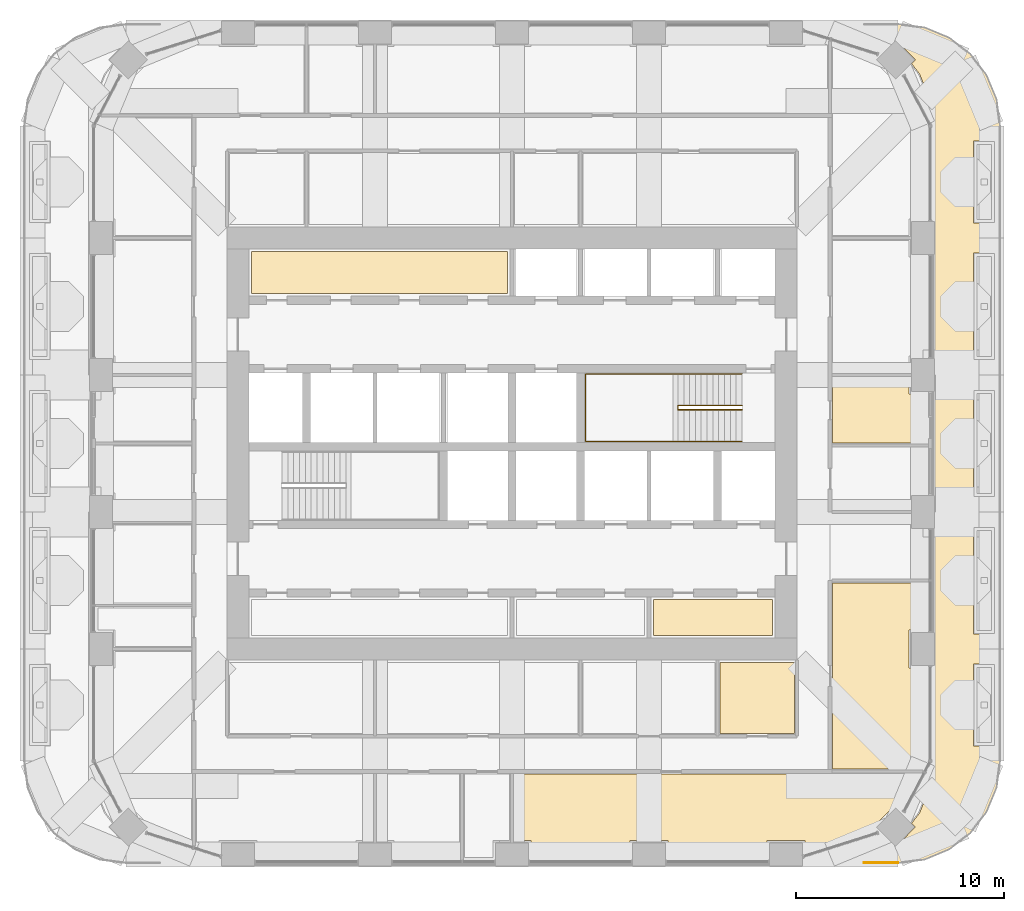
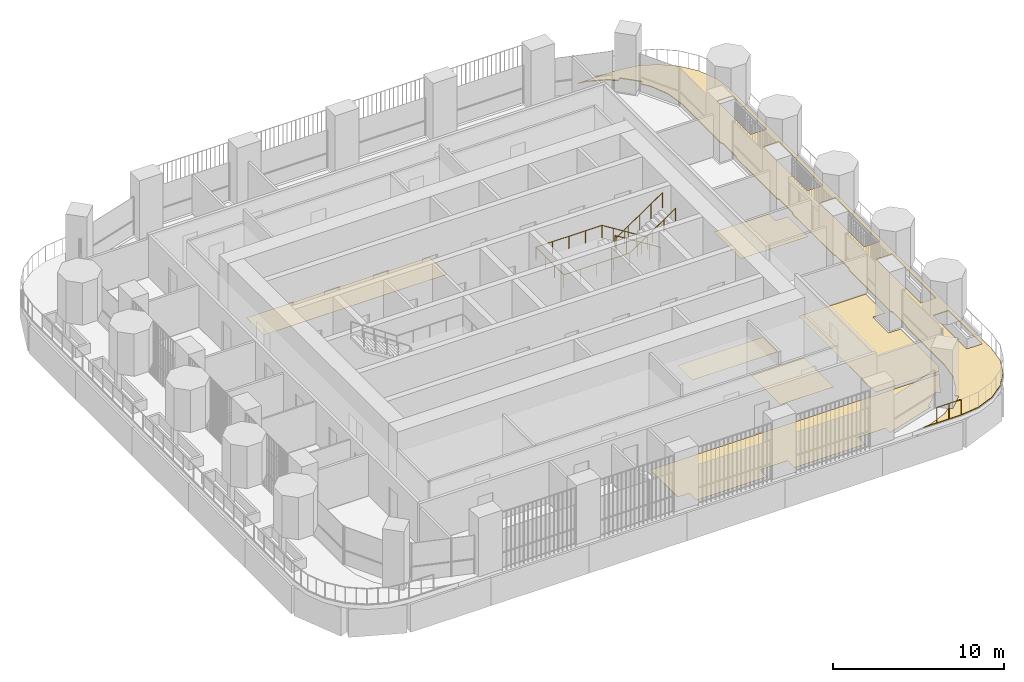
# One storey, part 21 of 24: 7 coverings, 3 railings.
"""IFC4 building model written with IfcOpenShell, lengths in metres."""

from ifc_helpers import new_model, si_unit, direction, frame, origin, place, context, subcontext, project, spatial, polyline, outline, extrude, material, layer, layer_set, type_object, element, save


model = new_model("IFC4")

# Units and contexts
model_context = context("Model", 3, precision=1e-05, world=origin(), true_north=direction((0.0, 1.0)))
body_context = subcontext(model_context, "Body", "Model", "MODEL_VIEW")
ifc_project = project(units=[si_unit("LENGTHUNIT", "METRE"), si_unit("AREAUNIT", "SQUARE_METRE"), si_unit("VOLUMEUNIT", "CUBIC_METRE"), si_unit("PLANEANGLEUNIT", "RADIAN"), si_unit("MASSUNIT", "GRAM", prefix="KILO")], contexts=[model_context])

# Site, building, storey
site_placement = place(None, origin())
site = spatial("IfcSite", under=ifc_project, at=site_placement, CompositionType="ELEMENT")
building_placement = place(site_placement, origin())
building = spatial("IfcBuilding", under=site, at=building_placement, Name="Cobogo Forest Laboratory Tower", CompositionType="ELEMENT")
storey_placement = place(building_placement, frame((0.0, 0.0, 229.199951171875)))
storey = spatial("IfcBuildingStorey", under=building, at=storey_placement, Name="L52", CompositionType="ELEMENT", Elevation=229.199951171875)

# Railing
ifc_material_1 = material(Name="Laminated glass balustrade", Category="glass")
railing_type_1 = type_object("IfcRailingType", Name="BG1 glass balustrade 1100", PredefinedType="GUARDRAIL", material=ifc_material_1)
railing_1_placement = place(storey_placement, frame((43.35791015625, 2.89990234375, 0.06005859375)))
element("IfcRailing", 1, at=railing_1_placement, inside=storey, type_object=railing_type_1, Name="Terrace balustrade TER-E L52", PredefinedType="GUARDRAIL", context=body_context, shape_type="SweptSolid", body=[
    extrude(outline(polyline([(0.022216796875, 0.00927734375), (0.00927734375, 0.022216796875), (-0.00927734375, 0.022216796875), (-0.022216796875, 0.00927734375), (-0.022216796875, -0.00927734375), (-0.00927734375, -0.022216796875), (0.00927734375, -0.022216796875), (0.022216796875, -0.00927734375), (0.022216796875, 0.00927734375)])), frame((0.0, 0.0, 1.077880859375), z_axis=(1.0, 0.0, 0.0), x_axis=(0.0, 1.0, 0.0)), (0.0, 0.0, 1.0), 1.638916015625),
    extrude(outline(polyline([(0.019287109375, 0.008056640625), (0.008056640625, 0.019287109375), (-0.008056640625, 0.019287109375), (-0.019287109375, 0.008056640625), (-0.019287109375, -0.008056640625), (-0.008056640625, -0.019287109375), (0.008056640625, -0.019287109375), (0.019287109375, -0.008056640625), (0.019287109375, 0.008056640625)])), origin(), (0.0, 0.0, 1.0), 1.077880859375),
    extrude(outline(polyline([(0.019287109375, 0.008056640625), (0.008056640625, 0.019287109375), (-0.008056640625, 0.019287109375), (-0.019287109375, 0.008056640625), (-0.019287109375, -0.008056640625), (-0.008056640625, -0.019287109375), (0.008056640625, -0.019287109375), (0.019287109375, -0.008056640625), (0.019287109375, 0.008056640625)])), frame((0.8193359375, 0.0, 0.0)), (0.0, 0.0, 1.0), 1.077880859375),
    extrude(outline(polyline([(0.019287109375, 0.008056640625), (0.008056640625, 0.019287109375), (-0.008056640625, 0.019287109375), (-0.019287109375, 0.008056640625), (-0.019287109375, -0.008056640625), (-0.008056640625, -0.019287109375), (0.008056640625, -0.019287109375), (0.019287109375, -0.008056640625), (0.019287109375, 0.008056640625)])), frame((1.638916015625, 0.0, 0.0)), (0.0, 0.0, 1.0), 1.077880859375),
])

# Coverings
ifc_material_2 = material(Name="Carpet tile on raised access floor", Category="flooring")
ifc_layer_1 = layer(ifc_material_2, 0.008056640625)
ifc_layer_set_1 = layer_set([ifc_layer_1], Name="CT1 carpet tile floor 8")
covering_type_1 = type_object("IfcCoveringType", Name="CT1 carpet tile floor 8", PredefinedType="FLOORING", material=ifc_layer_set_1)
covering_1_placement = place(storey_placement, origin())
element("IfcCovering", 2, at=covering_1_placement, inside=storey, type_object=covering_type_1, Name="Carpet floor L52-08", PredefinedType="FLOORING", context=body_context, shape_type="SweptSolid", body=[
    extrude(outline(polyline([(40.0048828125, 9.1201171875), (36.419921875, 9.1201171875), (36.419921875, 12.554931640625), (40.0048828125, 12.554931640625), (40.0048828125, 9.1201171875)])), origin(), (0.0, 0.0, 1.0), 0.008056640625),
])
covering_2_placement = place(storey_placement, origin())
element("IfcCovering", 3, at=covering_2_placement, inside=storey, type_object=covering_type_1, Name="Carpet floor L52-12", PredefinedType="FLOORING", context=body_context, shape_type="SweptSolid", body=[
    extrude(outline(polyline([(45.999267578125, 7.179931640625), (45.1083984375, 5.480712890625), (44.882080078125, 5.70703125), (43.79296875, 4.617919921875), (43.89501953125, 4.51611328125), (40.52001953125, 3.4501953125), (40.52001953125, 3.969970703125), (38.679931640625, 3.969970703125), (38.679931640625, 3.14990234375), (33.919921875, 3.14990234375), (33.919921875, 3.969970703125), (32.080078125, 3.969970703125), (32.080078125, 3.14990234375), (27.320068359375, 3.14990234375), (27.320068359375, 3.969970703125), (26.52001953125, 3.969970703125), (26.52001953125, 7.179931640625), (45.999267578125, 7.179931640625)])), origin(), (0.0, 0.0, 1.0), 0.008056640625),
])
covering_3_placement = place(storey_placement, origin())
element("IfcCovering", 4, at=covering_3_placement, inside=storey, type_object=covering_type_1, Name="Carpet floor L52-13", PredefinedType="FLOORING", context=body_context, shape_type="SweptSolid", body=[
    extrude(outline(polyline([(41.844970703125, 16.3798828125), (46.35009765625, 16.3798828125), (46.35009765625, 14.1201171875), (45.530029296875, 14.1201171875), (45.530029296875, 12.280029296875), (46.35009765625, 12.280029296875), (46.35009765625, 7.84912109375), (46.125, 7.419921875), (41.844970703125, 7.419921875), (41.844970703125, 16.3798828125)])), origin(), (0.0, 0.0, 1.0), 0.008056640625),
])
covering_4_placement = place(storey_placement, origin())
element("IfcCovering", 5, at=covering_4_placement, inside=storey, type_object=covering_type_1, Name="Carpet floor L52-37", PredefinedType="FLOORING", context=body_context, shape_type="SweptSolid", body=[
    extrude(outline(polyline([(38.955078125, 13.844970703125), (33.219970703125, 13.844970703125), (33.219970703125, 15.580078125), (38.955078125, 15.580078125), (38.955078125, 13.844970703125)])), origin(), (0.0, 0.0, 1.0), 0.008056640625),
])
covering_5_placement = place(storey_placement, origin())
element("IfcCovering", 6, at=covering_5_placement, inside=storey, type_object=covering_type_1, Name="Carpet floor L52-38", PredefinedType="FLOORING", context=body_context, shape_type="SweptSolid", body=[
    extrude(outline(polyline([(26.179931640625, 30.320068359375), (13.844970703125, 30.320068359375), (13.844970703125, 32.35498046875), (26.179931640625, 32.35498046875), (26.179931640625, 30.320068359375)])), origin(), (0.0, 0.0, 1.0), 0.008056640625),
])

# Railings
ifc_material_3 = material(Name="Steel balustrade", Category="steel")
railing_type_2 = type_object("IfcRailingType", Name="GR stair guard 1100", PredefinedType="GUARDRAIL", material=ifc_material_3)
railing_2_placement = place(storey_placement, frame((37.47509765625, 24.929931640625, 0.175048828125)))
element("IfcRailing", 7, at=railing_2_placement, inside=storey, type_object=railing_type_2, Name="Stair guard ST2 L52", PredefinedType="GUARDRAIL", context=body_context, shape_type="SweptSolid", body=[
    extrude(outline(polyline([(0.022216796875, 0.00927734375), (0.00927734375, 0.022216796875), (-0.00927734375, 0.022216796875), (-0.022216796875, 0.00927734375), (-0.022216796875, -0.00927734375), (-0.00927734375, -0.022216796875), (0.00927734375, -0.022216796875), (0.022216796875, -0.00927734375), (0.022216796875, 0.00927734375)])), frame((0.0, 0.0, 1.077880859375), z_axis=(-0.847998304005, 0.0, 0.529998940003), x_axis=(0.0, -1.0, 0.0)), (0.0, 0.0, 1.0), 3.632080078125),
    extrude(outline(polyline([(0.022216796875, 0.00927734375), (0.00927734375, 0.022216796875), (-0.00927734375, 0.022216796875), (-0.022216796875, 0.00927734375), (-0.022216796875, -0.00927734375), (-0.00927734375, -0.022216796875), (0.00927734375, -0.022216796875), (0.022216796875, -0.00927734375), (0.022216796875, 0.00927734375)])), frame((-3.080078125, 0.0, 3.0029296875), z_axis=(0.0, -1.0, 0.0), x_axis=(1.0, 0.0, 0.0)), (0.0, 0.0, 1.0), 0.2099609375),
    extrude(outline(polyline([(0.022216796875, 0.00927734375), (0.00927734375, 0.022216796875), (-0.00927734375, 0.022216796875), (-0.022216796875, 0.00927734375), (-0.022216796875, -0.00927734375), (-0.00927734375, -0.022216796875), (0.00927734375, -0.022216796875), (0.022216796875, -0.00927734375), (0.022216796875, 0.00927734375)])), frame((-3.080078125, -0.2099609375, 3.0029296875), z_axis=(0.826252282691, 0.0, 0.563300244406), x_axis=(0.0, 1.0, 0.0)), (0.0, 0.0, 1.0), 3.727783203125),
    extrude(outline(polyline([(0.019287109375, 0.008056640625), (0.008056640625, 0.019287109375), (-0.008056640625, 0.019287109375), (-0.019287109375, 0.008056640625), (-0.019287109375, -0.008056640625), (-0.008056640625, -0.019287109375), (0.008056640625, -0.019287109375), (0.019287109375, -0.008056640625), (0.019287109375, 0.008056640625)])), origin(), (0.0, 0.0, 1.0), 1.077880859375),
    extrude(outline(polyline([(0.019287109375, 0.008056640625), (0.008056640625, 0.019287109375), (-0.008056640625, 0.019287109375), (-0.019287109375, 0.008056640625), (-0.019287109375, -0.008056640625), (-0.008056640625, -0.019287109375), (0.008056640625, -0.019287109375), (0.019287109375, -0.008056640625), (0.019287109375, 0.008056640625)])), frame((-0.77001953125, 0.0, 0.481201171875)), (0.0, 0.0, 1.0), 1.077880859375),
    extrude(outline(polyline([(0.019287109375, 0.008056640625), (0.008056640625, 0.019287109375), (-0.008056640625, 0.019287109375), (-0.019287109375, 0.008056640625), (-0.019287109375, -0.008056640625), (-0.008056640625, -0.019287109375), (0.008056640625, -0.019287109375), (0.019287109375, -0.008056640625), (0.019287109375, 0.008056640625)])), frame((-1.5400390625, 0.0, 0.96240234375)), (0.0, 0.0, 1.0), 1.077880859375),
    extrude(outline(polyline([(0.019287109375, 0.008056640625), (0.008056640625, 0.019287109375), (-0.008056640625, 0.019287109375), (-0.019287109375, 0.008056640625), (-0.019287109375, -0.008056640625), (-0.008056640625, -0.019287109375), (0.008056640625, -0.019287109375), (0.019287109375, -0.008056640625), (0.019287109375, 0.008056640625)])), frame((-2.31005859375, 0.0, 1.44384765625)), (0.0, 0.0, 1.0), 1.077880859375),
    extrude(outline(polyline([(0.019287109375, 0.008056640625), (0.008056640625, 0.019287109375), (-0.008056640625, 0.019287109375), (-0.019287109375, 0.008056640625), (-0.019287109375, -0.008056640625), (-0.008056640625, -0.019287109375), (0.008056640625, -0.019287109375), (0.019287109375, -0.008056640625), (0.019287109375, 0.008056640625)])), frame((-3.080078125, 0.0, 1.925048828125)), (0.0, 0.0, 1.0), 1.077880859375),
    extrude(outline(polyline([(0.019287109375, 0.008056640625), (0.008056640625, 0.019287109375), (-0.008056640625, 0.019287109375), (-0.019287109375, 0.008056640625), (-0.019287109375, -0.008056640625), (-0.008056640625, -0.019287109375), (0.008056640625, -0.019287109375), (0.019287109375, -0.008056640625), (0.019287109375, 0.008056640625)])), frame((-3.080078125, -0.2099609375, 1.925048828125)), (0.0, 0.0, 1.0), 1.077880859375),
    extrude(outline(polyline([(0.019287109375, 0.008056640625), (0.008056640625, 0.019287109375), (-0.008056640625, 0.019287109375), (-0.019287109375, 0.008056640625), (-0.019287109375, -0.008056640625), (-0.008056640625, -0.019287109375), (0.008056640625, -0.019287109375), (0.019287109375, -0.008056640625), (0.019287109375, 0.008056640625)])), frame((-2.31005859375, -0.2099609375, 2.449951171875)), (0.0, 0.0, 1.0), 1.077880859375),
    extrude(outline(polyline([(0.019287109375, 0.008056640625), (0.008056640625, 0.019287109375), (-0.008056640625, 0.019287109375), (-0.019287109375, 0.008056640625), (-0.019287109375, -0.008056640625), (-0.008056640625, -0.019287109375), (0.008056640625, -0.019287109375), (0.019287109375, -0.008056640625), (0.019287109375, 0.008056640625)])), frame((-1.5400390625, -0.2099609375, 2.97509765625)), (0.0, 0.0, 1.0), 1.077880859375),
    extrude(outline(polyline([(0.019287109375, 0.008056640625), (0.008056640625, 0.019287109375), (-0.008056640625, 0.019287109375), (-0.019287109375, 0.008056640625), (-0.019287109375, -0.008056640625), (-0.008056640625, -0.019287109375), (0.008056640625, -0.019287109375), (0.019287109375, -0.008056640625), (0.019287109375, 0.008056640625)])), frame((-0.77001953125, -0.2099609375, 3.5)), (0.0, 0.0, 1.0), 1.077880859375),
    extrude(outline(polyline([(0.019287109375, 0.008056640625), (0.008056640625, 0.019287109375), (-0.008056640625, 0.019287109375), (-0.019287109375, 0.008056640625), (-0.019287109375, -0.008056640625), (-0.008056640625, -0.019287109375), (0.008056640625, -0.019287109375), (0.019287109375, -0.008056640625), (0.019287109375, 0.008056640625)])), frame((0.0, -0.2099609375, 4.02490234375)), (0.0, 0.0, 1.0), 1.077880859375),
])
ifc_material_4 = material(Name="Stainless steel handrail", Category="steel")
railing_type_3 = type_object("IfcRailingType", Name="HR handrail 900", PredefinedType="HANDRAIL", material=ifc_material_4)
railing_3_placement = place(storey_placement, frame((37.47509765625, 26.449951171875, 0.175048828125)))
element("IfcRailing", 8, at=railing_3_placement, inside=storey, type_object=railing_type_3, Name="Stair handrail ST2 L52", PredefinedType="HANDRAIL", context=body_context, shape_type="SweptSolid", body=[
    extrude(outline(polyline([(0.022216796875, 0.00927734375), (0.00927734375, 0.022216796875), (-0.00927734375, 0.022216796875), (-0.022216796875, 0.00927734375), (-0.022216796875, -0.00927734375), (-0.00927734375, -0.022216796875), (0.00927734375, -0.022216796875), (0.022216796875, -0.00927734375), (0.022216796875, 0.00927734375)])), frame((0.0, 0.0, 0.877685546875), z_axis=(-0.847998304005, 0.0, 0.529998940003), x_axis=(0.0, -1.0, 0.0)), (0.0, 0.0, 1.0), 3.632080078125),
    extrude(outline(polyline([(0.022216796875, 0.00927734375), (0.00927734375, 0.022216796875), (-0.00927734375, 0.022216796875), (-0.022216796875, 0.00927734375), (-0.022216796875, -0.00927734375), (-0.00927734375, -0.022216796875), (0.00927734375, -0.022216796875), (0.022216796875, -0.00927734375), (0.022216796875, 0.00927734375)])), frame((-3.080078125, 0.0, 2.802734375), z_axis=(-1.0, 0.0, 0.0), x_axis=(0.0, -1.0, 0.0)), (0.0, 0.0, 1.0), 4.445068359375),
    extrude(outline(polyline([(0.022216796875, 0.00927734375), (0.00927734375, 0.022216796875), (-0.00927734375, 0.022216796875), (-0.022216796875, 0.00927734375), (-0.022216796875, -0.00927734375), (-0.00927734375, -0.022216796875), (0.00927734375, -0.022216796875), (0.022216796875, -0.00927734375), (0.022216796875, 0.00927734375)])), frame((-7.525146484375, 0.0, 2.802734375), z_axis=(0.0, -1.0, 0.0), x_axis=(1.0, 0.0, 0.0)), (0.0, 0.0, 1.0), 3.25),
    extrude(outline(polyline([(0.022216796875, 0.00927734375), (0.00927734375, 0.022216796875), (-0.00927734375, 0.022216796875), (-0.022216796875, 0.00927734375), (-0.022216796875, -0.00927734375), (-0.00927734375, -0.022216796875), (0.00927734375, -0.022216796875), (0.022216796875, -0.00927734375), (0.022216796875, 0.00927734375)])), frame((-7.525146484375, -3.25, 2.802734375), z_axis=(1.0, 0.0, 0.0), x_axis=(0.0, 1.0, 0.0)), (0.0, 0.0, 1.0), 4.445068359375),
    extrude(outline(polyline([(0.022216796875, 0.00927734375), (0.00927734375, 0.022216796875), (-0.00927734375, 0.022216796875), (-0.022216796875, 0.00927734375), (-0.022216796875, -0.00927734375), (-0.00927734375, -0.022216796875), (0.00927734375, -0.022216796875), (0.022216796875, -0.00927734375), (0.022216796875, 0.00927734375)])), frame((-3.080078125, -3.25, 2.802734375), z_axis=(0.826252282691, 0.0, 0.563300244406), x_axis=(0.0, 1.0, 0.0)), (0.0, 0.0, 1.0), 3.727783203125),
    extrude(outline(polyline([(0.019287109375, 0.008056640625), (0.008056640625, 0.019287109375), (-0.008056640625, 0.019287109375), (-0.019287109375, 0.008056640625), (-0.019287109375, -0.008056640625), (-0.008056640625, -0.019287109375), (0.008056640625, -0.019287109375), (0.019287109375, -0.008056640625), (0.019287109375, 0.008056640625)])), origin(), (0.0, 0.0, 1.0), 0.877685546875),
    extrude(outline(polyline([(0.019287109375, 0.008056640625), (0.008056640625, 0.019287109375), (-0.008056640625, 0.019287109375), (-0.019287109375, 0.008056640625), (-0.019287109375, -0.008056640625), (-0.008056640625, -0.019287109375), (0.008056640625, -0.019287109375), (0.019287109375, -0.008056640625), (0.019287109375, 0.008056640625)])), frame((-0.77001953125, 0.0, 0.481201171875)), (0.0, 0.0, 1.0), 0.877685546875),
    extrude(outline(polyline([(0.019287109375, 0.008056640625), (0.008056640625, 0.019287109375), (-0.008056640625, 0.019287109375), (-0.019287109375, 0.008056640625), (-0.019287109375, -0.008056640625), (-0.008056640625, -0.019287109375), (0.008056640625, -0.019287109375), (0.019287109375, -0.008056640625), (0.019287109375, 0.008056640625)])), frame((-1.5400390625, 0.0, 0.96240234375)), (0.0, 0.0, 1.0), 0.877685546875),
    extrude(outline(polyline([(0.019287109375, 0.008056640625), (0.008056640625, 0.019287109375), (-0.008056640625, 0.019287109375), (-0.019287109375, 0.008056640625), (-0.019287109375, -0.008056640625), (-0.008056640625, -0.019287109375), (0.008056640625, -0.019287109375), (0.019287109375, -0.008056640625), (0.019287109375, 0.008056640625)])), frame((-2.31005859375, 0.0, 1.44384765625)), (0.0, 0.0, 1.0), 0.877685546875),
    extrude(outline(polyline([(0.019287109375, 0.008056640625), (0.008056640625, 0.019287109375), (-0.008056640625, 0.019287109375), (-0.019287109375, 0.008056640625), (-0.019287109375, -0.008056640625), (-0.008056640625, -0.019287109375), (0.008056640625, -0.019287109375), (0.019287109375, -0.008056640625), (0.019287109375, 0.008056640625)])), frame((-3.080078125, 0.0, 1.925048828125)), (0.0, 0.0, 1.0), 0.877685546875),
    extrude(outline(polyline([(0.019287109375, 0.008056640625), (0.008056640625, 0.019287109375), (-0.008056640625, 0.019287109375), (-0.019287109375, 0.008056640625), (-0.019287109375, -0.008056640625), (-0.008056640625, -0.019287109375), (0.008056640625, -0.019287109375), (0.019287109375, -0.008056640625), (0.019287109375, 0.008056640625)])), frame((-4.19140625, 0.0, 1.925048828125)), (0.0, 0.0, 1.0), 0.877685546875),
    extrude(outline(polyline([(0.019287109375, 0.008056640625), (0.008056640625, 0.019287109375), (-0.008056640625, 0.019287109375), (-0.019287109375, 0.008056640625), (-0.019287109375, -0.008056640625), (-0.008056640625, -0.019287109375), (0.008056640625, -0.019287109375), (0.019287109375, -0.008056640625), (0.019287109375, 0.008056640625)])), frame((-5.302734375, 0.0, 1.925048828125)), (0.0, 0.0, 1.0), 0.877685546875),
    extrude(outline(polyline([(0.019287109375, 0.008056640625), (0.008056640625, 0.019287109375), (-0.008056640625, 0.019287109375), (-0.019287109375, 0.008056640625), (-0.019287109375, -0.008056640625), (-0.008056640625, -0.019287109375), (0.008056640625, -0.019287109375), (0.019287109375, -0.008056640625), (0.019287109375, 0.008056640625)])), frame((-6.413818359375, 0.0, 1.925048828125)), (0.0, 0.0, 1.0), 0.877685546875),
    extrude(outline(polyline([(0.019287109375, 0.008056640625), (0.008056640625, 0.019287109375), (-0.008056640625, 0.019287109375), (-0.019287109375, 0.008056640625), (-0.019287109375, -0.008056640625), (-0.008056640625, -0.019287109375), (0.008056640625, -0.019287109375), (0.019287109375, -0.008056640625), (0.019287109375, 0.008056640625)])), frame((-7.525146484375, 0.0, 1.925048828125)), (0.0, 0.0, 1.0), 0.877685546875),
    extrude(outline(polyline([(0.019287109375, 0.008056640625), (0.008056640625, 0.019287109375), (-0.008056640625, 0.019287109375), (-0.019287109375, 0.008056640625), (-0.019287109375, -0.008056640625), (-0.008056640625, -0.019287109375), (0.008056640625, -0.019287109375), (0.019287109375, -0.008056640625), (0.019287109375, 0.008056640625)])), frame((-7.525146484375, -1.083251953125, 1.925048828125)), (0.0, 0.0, 1.0), 0.877685546875),
    extrude(outline(polyline([(0.019287109375, 0.008056640625), (0.008056640625, 0.019287109375), (-0.008056640625, 0.019287109375), (-0.019287109375, 0.008056640625), (-0.019287109375, -0.008056640625), (-0.008056640625, -0.019287109375), (0.008056640625, -0.019287109375), (0.019287109375, -0.008056640625), (0.019287109375, 0.008056640625)])), frame((-7.525146484375, -2.166748046875, 1.925048828125)), (0.0, 0.0, 1.0), 0.877685546875),
    extrude(outline(polyline([(0.019287109375, 0.008056640625), (0.008056640625, 0.019287109375), (-0.008056640625, 0.019287109375), (-0.019287109375, 0.008056640625), (-0.019287109375, -0.008056640625), (-0.008056640625, -0.019287109375), (0.008056640625, -0.019287109375), (0.019287109375, -0.008056640625), (0.019287109375, 0.008056640625)])), frame((-7.525146484375, -3.25, 1.925048828125)), (0.0, 0.0, 1.0), 0.877685546875),
    extrude(outline(polyline([(0.019287109375, 0.008056640625), (0.008056640625, 0.019287109375), (-0.008056640625, 0.019287109375), (-0.019287109375, 0.008056640625), (-0.019287109375, -0.008056640625), (-0.008056640625, -0.019287109375), (0.008056640625, -0.019287109375), (0.019287109375, -0.008056640625), (0.019287109375, 0.008056640625)])), frame((-6.413818359375, -3.25, 1.925048828125)), (0.0, 0.0, 1.0), 0.877685546875),
    extrude(outline(polyline([(0.019287109375, 0.008056640625), (0.008056640625, 0.019287109375), (-0.008056640625, 0.019287109375), (-0.019287109375, 0.008056640625), (-0.019287109375, -0.008056640625), (-0.008056640625, -0.019287109375), (0.008056640625, -0.019287109375), (0.019287109375, -0.008056640625), (0.019287109375, 0.008056640625)])), frame((-5.302734375, -3.25, 1.925048828125)), (0.0, 0.0, 1.0), 0.877685546875),
    extrude(outline(polyline([(0.019287109375, 0.008056640625), (0.008056640625, 0.019287109375), (-0.008056640625, 0.019287109375), (-0.019287109375, 0.008056640625), (-0.019287109375, -0.008056640625), (-0.008056640625, -0.019287109375), (0.008056640625, -0.019287109375), (0.019287109375, -0.008056640625), (0.019287109375, 0.008056640625)])), frame((-4.19140625, -3.25, 1.925048828125)), (0.0, 0.0, 1.0), 0.877685546875),
    extrude(outline(polyline([(0.019287109375, 0.008056640625), (0.008056640625, 0.019287109375), (-0.008056640625, 0.019287109375), (-0.019287109375, 0.008056640625), (-0.019287109375, -0.008056640625), (-0.008056640625, -0.019287109375), (0.008056640625, -0.019287109375), (0.019287109375, -0.008056640625), (0.019287109375, 0.008056640625)])), frame((-3.080078125, -3.25, 1.925048828125)), (0.0, 0.0, 1.0), 0.877685546875),
    extrude(outline(polyline([(0.019287109375, 0.008056640625), (0.008056640625, 0.019287109375), (-0.008056640625, 0.019287109375), (-0.019287109375, 0.008056640625), (-0.019287109375, -0.008056640625), (-0.008056640625, -0.019287109375), (0.008056640625, -0.019287109375), (0.019287109375, -0.008056640625), (0.019287109375, 0.008056640625)])), frame((-2.31005859375, -3.25, 2.449951171875)), (0.0, 0.0, 1.0), 0.877685546875),
    extrude(outline(polyline([(0.019287109375, 0.008056640625), (0.008056640625, 0.019287109375), (-0.008056640625, 0.019287109375), (-0.019287109375, 0.008056640625), (-0.019287109375, -0.008056640625), (-0.008056640625, -0.019287109375), (0.008056640625, -0.019287109375), (0.019287109375, -0.008056640625), (0.019287109375, 0.008056640625)])), frame((-1.5400390625, -3.25, 2.97509765625)), (0.0, 0.0, 1.0), 0.877685546875),
    extrude(outline(polyline([(0.019287109375, 0.008056640625), (0.008056640625, 0.019287109375), (-0.008056640625, 0.019287109375), (-0.019287109375, 0.008056640625), (-0.019287109375, -0.008056640625), (-0.008056640625, -0.019287109375), (0.008056640625, -0.019287109375), (0.019287109375, -0.008056640625), (0.019287109375, 0.008056640625)])), frame((-0.77001953125, -3.25, 3.5)), (0.0, 0.0, 1.0), 0.877685546875),
    extrude(outline(polyline([(0.019287109375, 0.008056640625), (0.008056640625, 0.019287109375), (-0.008056640625, 0.019287109375), (-0.019287109375, 0.008056640625), (-0.019287109375, -0.008056640625), (-0.008056640625, -0.019287109375), (0.008056640625, -0.019287109375), (0.019287109375, -0.008056640625), (0.019287109375, 0.008056640625)])), frame((0.0, -3.25, 4.02490234375)), (0.0, 0.0, 1.0), 0.877685546875),
])

# Coverings
ifc_material_5 = material(Name="Bituminous waterproofing, protection board and paving", Category="roofing")
ifc_layer_2 = layer(ifc_material_5, 0.06005859375)
ifc_layer_set_2 = layer_set([ifc_layer_2], Name="RF1 terrace and roof garden build-up 60")
covering_type_2 = type_object("IfcCoveringType", Name="RF1 terrace and roof garden build-up 60", PredefinedType="ROOFING", material=ifc_layer_set_2)
covering_6_placement = place(storey_placement, origin())
element("IfcCovering", 9, at=covering_6_placement, inside=storey, type_object=covering_type_2, Name="Terrace build-up TER-E L52", PredefinedType="ROOFING", context=body_context, shape_type="SweptSolid", body=[
    extrude(outline(polyline([(46.26806640625, 43.132568359375), (47.44970703125, 42.64306640625), (48.464599609375, 41.864501953125), (49.2431640625, 40.849853515625), (49.732666015625, 39.668212890625), (49.89990234375, 38.396728515625), (49.89990234375, 7.80322265625), (49.732666015625, 6.531982421875), (49.2431640625, 5.35009765625), (48.464599609375, 4.33544921875), (47.44970703125, 3.556884765625), (46.26806640625, 3.0673828125), (44.996826171875, 2.89990234375), (42.462890625, 2.89990234375), (42.994140625, 2.969970703125), (44.2001953125, 3.469482421875), (44.69970703125, 3.852783203125), (44.869384765625, 3.683349609375), (44.876220703125, 3.6796875), (44.882080078125, 3.6787109375), (44.8876953125, 3.6796875), (44.894775390625, 3.683349609375), (45.81884765625, 4.608642578125), (45.821044921875, 4.619873046875), (45.816650390625, 4.630615234375), (45.647216796875, 4.80029296875), (46.030517578125, 5.2998046875), (46.530029296875, 6.505859375), (46.699951171875, 7.796630859375), (46.699951171875, 12.3798828125), (46.755859375, 12.380859375), (46.765380859375, 12.38720703125), (46.7685546875, 12.392333984375), (46.77001953125, 12.39990234375), (46.77001953125, 14.0), (46.7685546875, 14.007568359375), (46.765380859375, 14.0126953125), (46.755859375, 14.01904296875), (46.699951171875, 14.02001953125), (46.699951171875, 18.97998046875), (46.755859375, 18.98095703125), (46.7626953125, 18.984619140625), (46.7666015625, 18.98876953125), (46.77001953125, 19.0), (46.77001953125, 20.60009765625), (46.7666015625, 20.611083984375), (46.7626953125, 20.615478515625), (46.755859375, 20.619140625), (46.699951171875, 20.6201171875), (46.699951171875, 25.580078125), (46.755859375, 25.580810546875), (46.7626953125, 25.58447265625), (46.7666015625, 25.5888671875), (46.77001953125, 25.60009765625), (46.77001953125, 27.199951171875), (46.7666015625, 27.211181640625), (46.7626953125, 27.215576171875), (46.755859375, 27.21923828125), (46.699951171875, 27.219970703125), (46.699951171875, 32.179931640625), (46.755859375, 32.180908203125), (46.765380859375, 32.187255859375), (46.7685546875, 32.1923828125), (46.77001953125, 32.199951171875), (46.77001953125, 33.800048828125), (46.7685546875, 33.8076171875), (46.765380859375, 33.812744140625), (46.755859375, 33.819091796875), (46.699951171875, 33.820068359375), (46.699951171875, 38.4033203125), (46.530029296875, 39.694091796875), (46.030517578125, 40.900146484375), (45.647216796875, 41.399658203125), (45.8154296875, 41.56787109375), (45.82080078125, 41.578125), (45.819580078125, 41.589599609375), (45.8154296875, 41.59619140625), (44.891357421875, 42.518798828125), (44.880126953125, 42.521240234375), (44.869384765625, 42.5166015625), (44.69970703125, 42.34716796875), (44.2001953125, 42.73046875), (42.994140625, 43.22998046875), (42.462890625, 43.300048828125), (44.996826171875, 43.300048828125), (46.26806640625, 43.132568359375)]), holes=[polyline([(48.630859375, 12.455810546875), (48.630859375, 8.544189453125), (48.63720703125, 8.534423828125), (48.644287109375, 8.53076171875), (48.64990234375, 8.530029296875), (49.65576171875, 8.53076171875), (49.66552734375, 8.537353515625), (49.66845703125, 8.542236328125), (49.669921875, 8.550048828125), (49.669189453125, 12.455810546875), (49.66259765625, 12.465576171875), (49.65576171875, 12.46923828125), (49.64990234375, 12.469970703125), (48.64990234375, 12.469970703125), (48.644287109375, 12.46923828125), (48.63720703125, 12.465576171875), (48.630859375, 12.455810546875)]), polyline([(48.630859375, 19.055908203125), (48.63037109375, 13.946044921875), (48.63330078125, 13.93896484375), (48.63720703125, 13.9345703125), (48.644287109375, 13.930908203125), (48.64990234375, 13.929931640625), (49.65380859375, 13.930419921875), (49.659423828125, 13.932373046875), (49.66552734375, 13.937255859375), (49.66845703125, 13.9423828125), (49.669921875, 13.949951171875), (49.669677734375, 19.053955078125), (49.666748046875, 19.06103515625), (49.66259765625, 19.0654296875), (49.65576171875, 19.069091796875), (49.64990234375, 19.070068359375), (48.64990234375, 19.070068359375), (48.644287109375, 19.069091796875), (48.63720703125, 19.0654296875), (48.630859375, 19.055908203125)]), polyline([(48.630859375, 25.65576171875), (48.63037109375, 20.546142578125), (48.63330078125, 20.538818359375), (48.63720703125, 20.534423828125), (48.644287109375, 20.53076171875), (48.64990234375, 20.530029296875), (49.65380859375, 20.5302734375), (49.659423828125, 20.532470703125), (49.66552734375, 20.537353515625), (49.66845703125, 20.542236328125), (49.669921875, 20.550048828125), (49.669677734375, 25.65380859375), (49.666748046875, 25.6611328125), (49.66259765625, 25.66552734375), (49.65576171875, 25.669189453125), (49.64990234375, 25.669921875), (48.64990234375, 25.669921875), (48.644287109375, 25.669189453125), (48.63720703125, 25.66552734375), (48.630859375, 25.65576171875)]), polyline([(48.630859375, 32.255859375), (48.63037109375, 27.14599609375), (48.63330078125, 27.138916015625), (48.63720703125, 27.134521484375), (48.644287109375, 27.130859375), (48.64990234375, 27.1298828125), (49.65380859375, 27.13037109375), (49.659423828125, 27.13232421875), (49.66552734375, 27.13720703125), (49.66845703125, 27.142333984375), (49.669921875, 27.14990234375), (49.669677734375, 32.25390625), (49.667724609375, 32.259521484375), (49.66259765625, 32.265380859375), (49.65771484375, 32.2685546875), (49.64990234375, 32.27001953125), (48.64990234375, 32.27001953125), (48.642333984375, 32.2685546875), (48.63720703125, 32.265380859375), (48.630859375, 32.255859375)]), polyline([(48.630859375, 37.65576171875), (48.630859375, 33.744140625), (48.63720703125, 33.734619140625), (48.642333984375, 33.7314453125), (48.64990234375, 33.72998046875), (49.65576171875, 33.73095703125), (49.66552734375, 33.7373046875), (49.66845703125, 33.742431640625), (49.669921875, 33.75), (49.669189453125, 37.65576171875), (49.66259765625, 37.66552734375), (49.65771484375, 37.66845703125), (49.64990234375, 37.669921875), (48.64990234375, 37.669921875), (48.642333984375, 37.66845703125), (48.63720703125, 37.66552734375), (48.630859375, 37.65576171875)])]), origin(), (0.0, 0.0, 1.0), 0.06005859375),
])
ifc_material_6 = material(Name="Static-dissipative vinyl flooring", Category="flooring")
ifc_layer_3 = layer(ifc_material_6, 0.0029296875)
ifc_layer_set_3 = layer_set([ifc_layer_3], Name="SD1 static-dissipative vinyl floor 3")
covering_type_3 = type_object("IfcCoveringType", Name="SD1 static-dissipative vinyl floor 3", PredefinedType="FLOORING", material=ifc_layer_set_3)
covering_7_placement = place(storey_placement, origin())
element("IfcCovering", 10, at=covering_7_placement, inside=storey, type_object=covering_type_3, Name="Static-dissipative floor L52-15", PredefinedType="FLOORING", context=body_context, shape_type="SweptSolid", body=[
    extrude(outline(polyline([(41.844970703125, 26.280029296875), (45.530029296875, 26.280029296875), (45.530029296875, 25.47998046875), (46.35009765625, 25.47998046875), (46.35009765625, 23.1201171875), (41.844970703125, 23.1201171875), (41.844970703125, 26.280029296875)])), origin(), (0.0, 0.0, 1.0), 0.0029296875),
])

save(model, "model.ifc")
